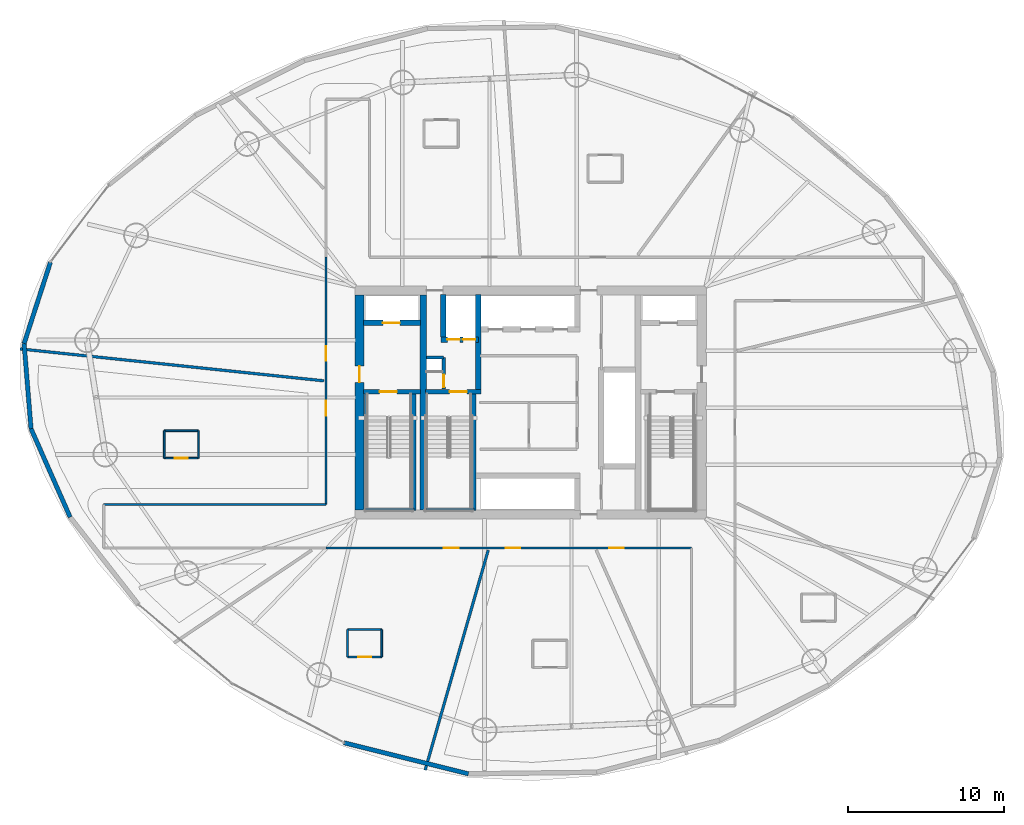
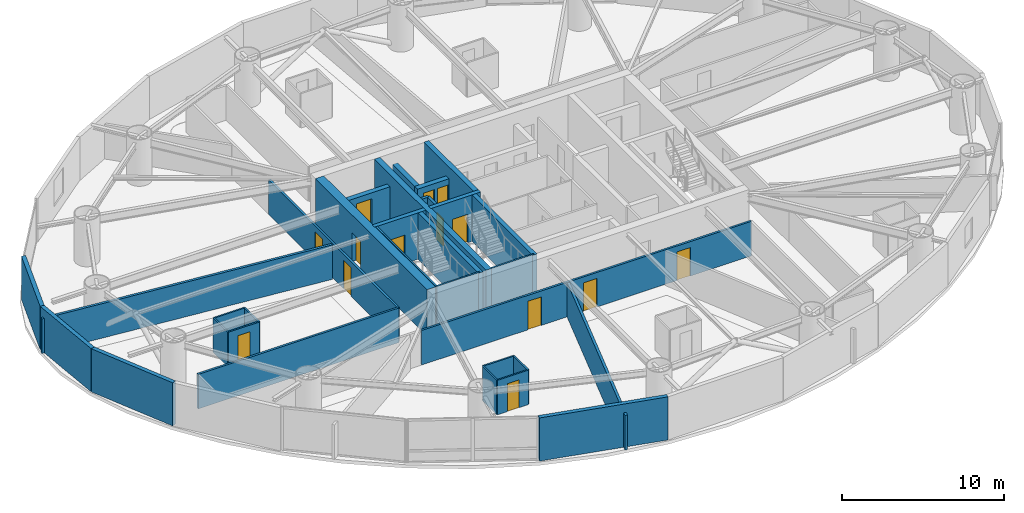
# One storey, part 12 of 19: 32 walls, 14 doors, 14 openings.
"""IFC4 building model written with IfcOpenShell, lengths in metres."""

import ifcopenshell
import ifcopenshell.guid

model = None  # the IFC model being written
_history = None  # IfcOwnerHistory: only IFC2X3 demands one
_inside = {}  # id of a spatial element -> (the spatial element, [elements in it])
_under = {}  # id of a project, library or spatial element -> (it, [spatial elements below it])
_declared = {}  # id of a project -> (the project, [libraries it declares])
_typed = {}  # id of a type object -> (the type object, [elements of that type])
_made_of = {}  # id of a material, layer set ... -> (it, [elements and type objects made of it])


def new_model(schema):
    """Start an empty IFC model of exactly this schema.

    Asked for "IFC4X3", IfcOpenShell would pick the latest addendum, in which some entities
    have other attributes; the version numbers below select the first issue.
    IFC2X3 requires an IfcOwnerHistory on every rooted entity: one is made here for all.
    """
    global model, _history
    if schema == "IFC4X3":
        model = ifcopenshell.file(schema_version=(4, 3, 0, 0))
    else:
        model = ifcopenshell.file(schema=schema)
    _inside.clear()
    _under.clear()
    _declared.clear()
    _typed.clear()
    _made_of.clear()
    _history = None
    if model.schema == "IFC2X3":
        org = make("IfcOrganization", Name="unknown")
        user = make(
            "IfcPersonAndOrganization",
            ThePerson=make("IfcPerson", FamilyName="unknown"),
            TheOrganization=org,
        )
        app = make(
            "IfcApplication",
            ApplicationDeveloper=org,
            Version="unknown",
            ApplicationFullName="unknown",
            ApplicationIdentifier="unknown",
        )
        _history = make(
            "IfcOwnerHistory",
            OwningUser=user,
            OwningApplication=app,
            ChangeAction="ADDED",
            CreationDate=0,
        )
    return model


def make(cls, **values):
    """One entity of the class cls with the attributes given. An attribute that is None is left unset."""
    return model.create_entity(
        cls, **{name: value for name, value in values.items() if value is not None}
    )


def rooted(cls, **values):
    """An entity with a GlobalId (a new one), such as an element, a storey or a relation."""
    return make(cls, GlobalId=ifcopenshell.guid.new(), OwnerHistory=_history, **values)


def si_unit(unit_type, name, prefix=None):
    """IfcSIUnit, for example si_unit("LENGTHUNIT", "METRE", prefix="MILLI")."""
    return make("IfcSIUnit", UnitType=unit_type, Prefix=prefix, Name=name)


def assignment(units):
    """IfcUnitAssignment: the units of a project."""
    return None if units is None else make("IfcUnitAssignment", Units=units)


def point(xyz):
    """IfcCartesianPoint."""
    return None if xyz is None else make("IfcCartesianPoint", Coordinates=xyz)


def direction(xyz):
    """IfcDirection."""
    return None if xyz is None else make("IfcDirection", DirectionRatios=xyz)


def frame(location, z_axis=None, x_axis=None):
    """IfcAxis2Placement3D, a coordinate frame: its origin and axes. An axis left out is left unset."""
    return make(
        "IfcAxis2Placement3D",
        Location=point(location),
        Axis=direction(z_axis),
        RefDirection=direction(x_axis),
    )


def frame_2d(location, x_axis=None):
    """IfcAxis2Placement2D, a coordinate frame in the plane: its origin and x axis."""
    return make(
        "IfcAxis2Placement2D", Location=point(location), RefDirection=direction(x_axis)
    )


def origin():
    """The frame at (0, 0, 0) with its axes left unset."""
    return frame((0.0, 0.0, 0.0))


def place(relative_to, where):
    """IfcLocalPlacement: puts the frame where relative to a parent placement (None: the world)."""
    return make(
        "IfcLocalPlacement", PlacementRelTo=relative_to, RelativePlacement=where
    )


def context(
    kind, dimensions, precision=None, world=None, true_north=None, identifier=None
):
    """IfcGeometricRepresentationContext, for example the 3D "Model" context."""
    return make(
        "IfcGeometricRepresentationContext",
        ContextIdentifier=identifier,
        ContextType=kind,
        CoordinateSpaceDimension=dimensions,
        Precision=precision,
        WorldCoordinateSystem=world,
        TrueNorth=true_north,
    )


def subcontext(parent, identifier, kind, view, scale=None):
    """IfcGeometricRepresentationSubContext, for example "Body" below "Model"."""
    return make(
        "IfcGeometricRepresentationSubContext",
        ContextIdentifier=identifier,
        ContextType=kind,
        ParentContext=parent,
        TargetScale=scale,
        TargetView=view,
    )


def project(units=None, contexts=None):
    """IfcProject with its units and contexts."""
    return rooted(
        "IfcProject",
        Name="project",
        RepresentationContexts=contexts,
        UnitsInContext=assignment(units),
    )


def spatial(cls, under=None, at=None, **own):
    """A site, building, storey or space (cls), placed at a placement, below another one or the project."""
    s = rooted(cls, ObjectPlacement=at, **own)
    if under is not None:
        _under.setdefault(under.id(), (under, []))[1].append(s)
    return s


def profile(cls, at=None, kind="AREA", **sizes):
    """A parametric profile (cls). Its sizes go by their IFC names, for example OverallWidth=200.0."""
    return make(cls, ProfileType=kind, Position=at, **sizes)


def rectangle(**sizes):
    """IfcRectangleProfileDef."""
    return profile("IfcRectangleProfileDef", **sizes)


def extrude(swept, where, along, depth):
    """IfcExtrudedAreaSolid: the profile swept, set in the frame where, extruded along a direction by depth."""
    return make(
        "IfcExtrudedAreaSolid",
        SweptArea=swept,
        Position=where,
        ExtrudedDirection=direction(along),
        Depth=depth,
    )


def shape(context_of_items, identifier, shape_type, items):
    """IfcShapeRepresentation: the items that make up one representation, for example the "Body"."""
    return make(
        "IfcShapeRepresentation",
        ContextOfItems=context_of_items,
        RepresentationIdentifier=identifier,
        RepresentationType=shape_type,
        Items=items,
    )


def material(Name=None, Category=None):
    """IfcMaterial."""
    return make("IfcMaterial", Name=Name, Category=Category)


def layer(
    of_material, thickness, ventilated=None, Name=None, Category=None, Priority=None
):
    """IfcMaterialLayer: one layer of a wall or slab, of a material (None: an air gap)."""
    return make(
        "IfcMaterialLayer",
        Material=of_material,
        LayerThickness=thickness,
        IsVentilated=ventilated,
        Name=Name,
        Category=Category,
        Priority=Priority,
    )


def layer_set(layers, Name=None):
    """IfcMaterialLayerSet."""
    return make("IfcMaterialLayerSet", MaterialLayers=layers, LayerSetName=Name)


def made_of(thing, what):
    """Note that an element or type object is made of a material, layer set ...; save() writes the relation."""
    if what is not None:
        _made_of.setdefault(what.id(), (what, []))[1].append(thing)
    return thing


def type_object(cls, material=None, **own):
    """A type object (cls), such as IfcWallType, which elements share."""
    return made_of(rooted(cls, **own), material)


def element(
    cls,
    number,
    at=None,
    inside=None,
    cuts=None,
    type_object=None,
    material=None,
    context=None,
    identifier="Body",
    shape_type=None,
    held_by="IfcProductDefinitionShape",
    body=None,
    shapes=None,
    **own,
):
    """One element of the class cls, such as IfcWall. Its Tag is "e" and its number.

    at: its placement. inside: the storey or other place that contains it. cuts: it is an
    opening in that element (IfcRelVoidsElement). A single representation is given by context,
    identifier, shape_type and body (its items); several are given by shapes. held_by: the class
    of the entity that holds the representations. save() writes the other relations.
    """
    e = rooted(cls, Tag="e%d" % number, ObjectPlacement=at, **own)
    if body is not None:
        shapes = [shape(context, identifier, shape_type, body)]
    if shapes is not None:
        e.Representation = make(held_by, Representations=shapes)
    if inside is not None:
        _inside.setdefault(inside.id(), (inside, []))[1].append(e)
    if cuts is not None:
        rooted(
            "IfcRelVoidsElement", RelatingBuildingElement=cuts, RelatedOpeningElement=e
        )
    if type_object is not None:
        _typed.setdefault(type_object.id(), (type_object, []))[1].append(e)
    return made_of(e, material)


def fill(opening, filler):
    """IfcRelFillsElement: the door or window that sits in an opening."""
    return rooted(
        "IfcRelFillsElement",
        RelatingOpeningElement=opening,
        RelatedBuildingElement=filler,
    )


def aggregate(whole, parts):
    """IfcRelAggregates: a whole, such as a stair, and the parts it consists of."""
    return rooted("IfcRelAggregates", RelatingObject=whole, RelatedObjects=parts)


def save(model, path):
    """Write the relations noted so far, then the file.

    IfcRelAggregates (storeys below a building ...), IfcRelContainedInSpatialStructure (elements
    in a storey), IfcRelDefinesByType, IfcRelAssociatesMaterial and IfcRelDeclares: one each for
    every whole, place, type object, material and project.
    """
    for whole, parts in _under.values():
        aggregate(whole, parts)
    for where, things in _inside.values():
        rooted(
            "IfcRelContainedInSpatialStructure",
            RelatedElements=things,
            RelatingStructure=where,
        )
    for kind, things in _typed.values():
        rooted("IfcRelDefinesByType", RelatedObjects=things, RelatingType=kind)
    for what, things in _made_of.values():
        rooted("IfcRelAssociatesMaterial", RelatedObjects=things, RelatingMaterial=what)
    for by, libraries in _declared.values():
        rooted("IfcRelDeclares", RelatingContext=by, RelatedDefinitions=libraries)
    model.write(path)


model = new_model("IFC4")

# Units and contexts
model_context = context("Model", 3, precision=1e-05, world=origin(), true_north=direction((0.0, 1.0)))
body_context = subcontext(model_context, "Body", "Model", "MODEL_VIEW")
ifc_project = project(units=[si_unit("LENGTHUNIT", "METRE"), si_unit("AREAUNIT", "SQUARE_METRE"), si_unit("VOLUMEUNIT", "CUBIC_METRE"), si_unit("PLANEANGLEUNIT", "RADIAN"), si_unit("MASSUNIT", "GRAM", prefix="KILO")], contexts=[model_context])

# Site, building, storey
site_placement = place(None, origin())
site = spatial("IfcSite", under=ifc_project, at=site_placement, CompositionType="ELEMENT")
building_placement = place(site_placement, origin())
building = spatial("IfcBuilding", under=site, at=building_placement, Name="Bramvorn Convention Spire", CompositionType="ELEMENT")
storey_placement = place(building_placement, frame((0.0, 0.0, 62.39990234375)))
storey = spatial("IfcBuildingStorey", under=building, at=storey_placement, Name="L13", CompositionType="ELEMENT", Elevation=62.39990234375)

# Wall, opening, door
ifc_material_1 = material(Name="Concrete C60/70", Category="concrete")
ifc_layer_1 = layer(ifc_material_1, 0.60009765625)
ifc_layer_set_1 = layer_set([ifc_layer_1], Name="Concrete C60/70 - WL-CORE-600")
wall_type_1 = type_object("IfcWallType", Name="WL-CORE-600", PredefinedType="SHEAR", material=ifc_layer_set_1)
wall_1_placement = place(storey_placement, frame((27.0, 19.10009765625, 0.0), z_axis=(0.0, 0.0, 1.0), x_axis=(0.0, 1.0, 0.0)))
wall_1 = element("IfcWall", 1, at=wall_1_placement, inside=storey, type_object=wall_type_1, Name="L13 West RC core shear wall", PredefinedType="SHEAR", context=body_context, shape_type="SweptSolid", body=[
    extrude(rectangle(XDim=13.7998046875, YDim=0.60009765625, at=frame_2d((6.89990234375, 0.0))), origin(), (0.0, 0.0, 1.0), 3.5),
])
opening_1_placement = place(wall_1_placement, frame((8.199951171875, 0.0, 0.0)))
opening_1 = element("IfcOpeningElement", 2, at=opening_1_placement, cuts=wall_1, Name="Opening DL-105", PredefinedType="OPENING", context=body_context, shape_type="SweptSolid", body=[
    extrude(rectangle(XDim=1.050048828125, YDim=2.14990234375, at=frame_2d((0.52490234375, 1.074951171875))), frame((0.0, 0.31005859375, 0.0), z_axis=(0.0, -1.0, 0.0), x_axis=(1.0, 0.0, 0.0)), (0.0, 0.0, 1.0), 0.6201171875),
])
ifc_material_2 = material(Name="Smoke-Sealed Fire Lobby Timber-Core Door", Category="wood")
door_type_1 = type_object("IfcDoorType", Name="DR-LOBBY-1050", OperationType="NOTDEFINED", PredefinedType="DOOR", material=ifc_material_2)
door_1_placement = place(opening_1_placement, origin())
door_1 = element("IfcDoor", 3, at=door_1_placement, inside=storey, type_object=door_type_1, Name="L13 West Firefighting Lobby corridor door", OperationType="SINGLE_SWING_RIGHT", OverallHeight=2.14990234375, OverallWidth=1.050048828125, PredefinedType="DOOR", context=body_context, shape_type="SweptSolid", body=[
    extrude(rectangle(XDim=1.050048828125, YDim=2.14990234375, at=frame_2d((0.52490234375, 1.074951171875))), frame((0.0, 0.02490234375, 0.0), z_axis=(0.0, -1.0, 0.0), x_axis=(1.0, 0.0, 0.0)), (0.0, 0.0, 1.0), 0.050048828125),
])
fill(opening_1, door_1)

ifc_material_3 = material(Name="Concrete C50/60", Category="concrete")
ifc_layer_2 = layer(ifc_material_3, 0.35009765625)
ifc_layer_set_2 = layer_set([ifc_layer_2], Name="Concrete C50/60 - WL-CORE-INT-350")
wall_type_2 = type_object("IfcWallType", Name="WL-CORE-INT-350", PredefinedType="SHEAR", material=ifc_layer_set_2)
wall_2_placement = place(storey_placement, frame((27.25, 31.1201171875, 0.0), z_axis=(0.0, 0.0, 1.0), x_axis=(1.0, 0.0, 0.0)))
wall_2 = element("IfcWall", 4, at=wall_2_placement, inside=storey, type_object=wall_type_2, Name="L13 FE1 shaft front wall", PredefinedType="SHEAR", context=body_context, shape_type="SweptSolid", body=[
    extrude(rectangle(XDim=3.669921875, YDim=0.35009765625, at=frame_2d((1.8349609375, 0.0))), origin(), (0.0, 0.0, 1.0), 2.60009765625),
])
opening_2_placement = place(wall_2_placement, frame((1.25, 0.0, 0.0)))
opening_2 = element("IfcOpeningElement", 5, at=opening_2_placement, cuts=wall_2, Name="Opening LD-110", PredefinedType="OPENING", context=body_context, shape_type="SweptSolid", body=[
    extrude(rectangle(XDim=1.10009765625, YDim=2.14990234375, at=frame_2d((0.550048828125, 1.074951171875))), frame((0.0, 0.18505859375, 0.0), z_axis=(0.0, -1.0, 0.0), x_axis=(1.0, 0.0, 0.0)), (0.0, 0.0, 1.0), 0.3701171875),
])
ifc_material_4 = material(Name="Firefighting & Service Lift Sliding Landing Door", Category="steel")
door_type_2 = type_object("IfcDoorType", Name="DR-LIFT-LD-1100", OperationType="NOTDEFINED", PredefinedType="DOOR", material=ifc_material_4)
door_2_placement = place(opening_2_placement, origin())
door_2 = element("IfcDoor", 6, at=door_2_placement, inside=storey, type_object=door_type_2, Name="L13 Lift FE1 Sliding Landing Door", OperationType="SLIDING_TO_LEFT", OverallHeight=2.14990234375, OverallWidth=1.10009765625, PredefinedType="DOOR", context=body_context, shape_type="SweptSolid", body=[
    extrude(rectangle(XDim=1.10009765625, YDim=2.14990234375, at=frame_2d((0.550048828125, 1.074951171875))), frame((0.0, 0.02490234375, 0.0), z_axis=(0.0, -1.0, 0.0), x_axis=(1.0, 0.0, 0.0)), (0.0, 0.0, 1.0), 0.050048828125),
])
fill(opening_2, door_2)

# Wall
wall_3_placement = place(storey_placement, frame((34.639892578125, 26.68994140625, 0.0), z_axis=(0.0, 0.0, 1.0), x_axis=(0.0, 1.0, 0.0)))
element("IfcWall", 7, at=wall_3_placement, inside=storey, type_object=wall_type_2, Name="L13 SV east core shaft wall", PredefinedType="SHEAR", context=body_context, shape_type="SweptSolid", body=[
    extrude(rectangle(XDim=6.260009765625, YDim=0.35009765625, at=frame_2d((3.1298828125, 0.0))), origin(), (0.0, 0.0, 1.0), 3.5),
])

# Wall, openings, doors
wall_4_placement = place(storey_placement, frame((32.22998046875, 30.050048828125, 0.0), z_axis=(0.0, 0.0, 1.0), x_axis=(1.0, 0.0, 0.0)))
wall_4 = element("IfcWall", 8, at=wall_4_placement, inside=storey, type_object=wall_type_2, Name="L13 SV1/SV2 shaft front wall", PredefinedType="SHEAR", context=body_context, shape_type="SweptSolid", body=[
    extrude(rectangle(XDim=2.409912109375, YDim=0.35009765625, at=frame_2d((1.205078125, 0.0))), origin(), (0.0, 0.0, 1.0), 2.60009765625),
])
opening_3_placement = place(wall_4_placement, frame((0.419921875, 0.0, 0.0)))
opening_3 = element("IfcOpeningElement", 9, at=opening_3_placement, cuts=wall_4, Name="Opening LD-080", PredefinedType="OPENING", context=body_context, shape_type="SweptSolid", body=[
    extrude(rectangle(XDim=0.800048828125, YDim=2.14990234375, at=frame_2d((0.39990234375, 1.074951171875))), frame((0.0, 0.18505859375, 0.0), z_axis=(0.0, -1.0, 0.0), x_axis=(1.0, 0.0, 0.0)), (0.0, 0.0, 1.0), 0.3701171875),
])
opening_4_placement = place(wall_4_placement, frame((1.419921875, 0.0, 0.0)))
opening_4 = element("IfcOpeningElement", 10, at=opening_4_placement, cuts=wall_4, Name="Opening LD-080", PredefinedType="OPENING", context=body_context, shape_type="SweptSolid", body=[
    extrude(rectangle(XDim=0.800048828125, YDim=2.14990234375, at=frame_2d((0.39990234375, 1.074951171875))), frame((0.0, 0.18505859375, 0.0), z_axis=(0.0, -1.0, 0.0), x_axis=(1.0, 0.0, 0.0)), (0.0, 0.0, 1.0), 0.3701171875),
])
ifc_material_5 = material(Name="Service Lift Bi-Parting Landing Door", Category="steel")
door_type_3 = type_object("IfcDoorType", Name="DR-LIFT-LD-800", OperationType="NOTDEFINED", PredefinedType="DOOR", material=ifc_material_5)
door_3_placement = place(opening_3_placement, origin())
door_3 = element("IfcDoor", 11, at=door_3_placement, inside=storey, type_object=door_type_3, Name="L13 Lift SV1 Sliding Landing Door", OperationType="SLIDING_TO_LEFT", OverallHeight=2.14990234375, OverallWidth=0.800048828125, PredefinedType="DOOR", context=body_context, shape_type="SweptSolid", body=[
    extrude(rectangle(XDim=0.800048828125, YDim=2.14990234375, at=frame_2d((0.39990234375, 1.074951171875))), frame((0.0, 0.02490234375, 0.0), z_axis=(0.0, -1.0, 0.0), x_axis=(1.0, 0.0, 0.0)), (0.0, 0.0, 1.0), 0.050048828125),
])
fill(opening_3, door_3)
door_4_placement = place(opening_4_placement, origin())
door_4 = element("IfcDoor", 12, at=door_4_placement, inside=storey, type_object=door_type_3, Name="L13 Lift SV2 Sliding Landing Door", OperationType="SLIDING_TO_LEFT", OverallHeight=2.14990234375, OverallWidth=0.800048828125, PredefinedType="DOOR", context=body_context, shape_type="SweptSolid", body=[
    extrude(rectangle(XDim=0.800048828125, YDim=2.14990234375, at=frame_2d((0.39990234375, 1.074951171875))), frame((0.0, 0.02490234375, 0.0), z_axis=(0.0, -1.0, 0.0), x_axis=(1.0, 0.0, 0.0)), (0.0, 0.0, 1.0), 0.050048828125),
])
fill(opening_4, door_4)

# Walls
wall_5_placement = place(storey_placement, frame((32.39990234375, 30.219970703125, 0.0), z_axis=(0.0, 0.0, 1.0), x_axis=(0.0, 1.0, 0.0)))
element("IfcWall", 13, at=wall_5_placement, inside=storey, type_object=wall_type_2, Name="L13 SV1 west hoistway wall", PredefinedType="SHEAR", context=body_context, shape_type="SweptSolid", body=[
    extrude(rectangle(XDim=2.72998046875, YDim=0.35009765625, at=frame_2d((1.364990234375, 0.0))), origin(), (0.0, 0.0, 1.0), 2.60009765625),
])
ifc_layer_3 = layer(ifc_material_1, 0.39990234375)
ifc_layer_set_3 = layer_set([ifc_layer_3], Name="Concrete C60/70 - WL-CORE-INT-400")
wall_type_3 = type_object("IfcWallType", Name="WL-CORE-INT-400", PredefinedType="SHEAR", material=ifc_layer_set_3)
wall_6_placement = place(storey_placement, frame((31.10009765625, 19.10009765625, 0.0), z_axis=(0.0, 0.0, 1.0), x_axis=(0.0, 1.0, 0.0)))
element("IfcWall", 14, at=wall_6_placement, inside=storey, type_object=wall_type_3, Name="L13 West internal core shear web", PredefinedType="SHEAR", context=body_context, shape_type="SweptSolid", body=[
    extrude(rectangle(XDim=13.7998046875, YDim=0.39990234375, at=frame_2d((6.89990234375, 0.0))), origin(), (0.0, 0.0, 1.0), 3.5),
])
ifc_material_6 = material(Name="Precast Concrete C40/50 with Bronze Terracotta Rainscreen", Category="masonry")
ifc_layer_4 = layer(ifc_material_6, 0.300048828125)
ifc_layer_set_4 = layer_set([ifc_layer_4], Name="Precast Concrete C40/50 with Bronze Terracotta Rainscreen - WL-EXT-BRONZE-300")
wall_type_4 = type_object("IfcWallType", Name="WL-EXT-BRONZE-300", PredefinedType="SOLIDWALL", material=ifc_layer_set_4)
wall_7_placement = place(storey_placement, frame((5.4404296875, 29.796142578125, 0.0), z_axis=(0.0, 0.0, 1.0), x_axis=(0.308035481902, 0.951374869276, 0.0)))
element("IfcWall", 15, at=wall_7_placement, inside=storey, type_object=wall_type_4, Name="L13 expressed bronze Gothic lancet pier wall 12", PredefinedType="SOLIDWALL", context=body_context, shape_type="SweptSolid", body=[
    extrude(rectangle(XDim=5.497314453125, YDim=0.280029296875, at=frame_2d((2.74853515625, 0.0))), origin(), (0.0, 0.0, 1.0), 3.25),
])
wall_8_placement = place(storey_placement, frame((5.885009765625, 24.316650390625, 0.0), z_axis=(0.0, 0.0, 1.0), x_axis=(-0.080869527328, 0.996724695967, 0.0)))
element("IfcWall", 16, at=wall_8_placement, inside=storey, type_object=wall_type_4, Name="L13 expressed bronze Gothic lancet pier wall 13", PredefinedType="SOLIDWALL", context=body_context, shape_type="SweptSolid", body=[
    extrude(rectangle(XDim=5.49755859375, YDim=0.280029296875, at=frame_2d((2.748779296875, 0.0))), origin(), (0.0, 0.0, 1.0), 3.25),
])
wall_9_placement = place(storey_placement, frame((8.39892578125, 18.635986328125, 0.0), z_axis=(0.0, 0.0, 1.0), x_axis=(-0.404683001763, 0.914457034575, 0.0)))
element("IfcWall", 17, at=wall_9_placement, inside=storey, type_object=wall_type_4, Name="L13 expressed bronze Gothic lancet pier wall 14", PredefinedType="SOLIDWALL", context=body_context, shape_type="SweptSolid", body=[
    extrude(rectangle(XDim=6.212158203125, YDim=0.280029296875, at=frame_2d((3.10595703125, 0.0))), origin(), (0.0, 0.0, 1.0), 3.25),
])
wall_10_placement = place(storey_placement, frame((34.009033203125, 2.131103515625, 0.0), z_axis=(0.0, 0.0, 1.0), x_axis=(-0.970262618, 0.242054646954, 0.0)))
element("IfcWall", 18, at=wall_10_placement, inside=storey, type_object=wall_type_4, Name="L13 expressed bronze Gothic lancet pier wall 18", PredefinedType="SOLIDWALL", context=body_context, shape_type="SweptSolid", body=[
    extrude(rectangle(XDim=8.241455078125, YDim=0.280029296875, at=frame_2d((4.12060546875, 0.0))), origin(), (0.0, 0.0, 1.0), 3.25),
])

# Wall, opening, door
ifc_material_7 = material(Name="Lightweight En-Suite & Wet-Wall Partition", Category="gypsum")
ifc_layer_5 = layer(ifc_material_7, 0.110107421875)
ifc_layer_set_5 = layer_set([ifc_layer_5], Name="Lightweight En-Suite & Wet-Wall Partition - WL-PART-110")
wall_type_5 = type_object("IfcWallType", Name="WL-PART-110", PredefinedType="PARTITIONING", material=ifc_layer_set_5)
wall_11_placement = place(storey_placement, frame((14.4453125, 22.427978515625, 0.0), z_axis=(0.0, 0.0, 1.0), x_axis=(1.0, 0.0, 0.0)))
wall_11 = element("IfcWall", 19, at=wall_11_placement, inside=storey, type_object=wall_type_5, Name="Hotel Suite 1305 en-suite south wall", PredefinedType="PARTITIONING", context=body_context, shape_type="SweptSolid", body=[
    extrude(rectangle(XDim=2.199951171875, YDim=0.110107421875, at=frame_2d((1.10009765625, 0.0))), origin(), (0.0, 0.0, 1.0), 2.60009765625),
])
opening_5_placement = place(wall_11_placement, frame((0.679931640625, 0.0, 0.0)))
opening_5 = element("IfcOpeningElement", 20, at=opening_5_placement, cuts=wall_11, Name="Opening DI-085", PredefinedType="OPENING", context=body_context, shape_type="SweptSolid", body=[
    extrude(rectangle(XDim=0.85009765625, YDim=2.10009765625, at=frame_2d((0.425048828125, 1.050048828125))), frame((0.0, 0.06494140625, 0.0), z_axis=(0.0, -1.0, 0.0), x_axis=(1.0, 0.0, 0.0)), (0.0, 0.0, 1.0), 0.130126953125),
])
ifc_material_8 = material(Name="En-Suite & Restroom Privacy Door", Category="wood")
door_type_4 = type_object("IfcDoorType", Name="DR-INT-850", OperationType="NOTDEFINED", PredefinedType="DOOR", material=ifc_material_8)
door_5_placement = place(opening_5_placement, origin())
door_5 = element("IfcDoor", 21, at=door_5_placement, inside=storey, type_object=door_type_4, Name="Hotel Suite 1305 En-Suite Bathroom door", OperationType="SINGLE_SWING_LEFT", OverallHeight=2.10009765625, OverallWidth=0.85009765625, PredefinedType="DOOR", context=body_context, shape_type="SweptSolid", body=[
    extrude(rectangle(XDim=0.85009765625, YDim=2.10009765625, at=frame_2d((0.425048828125, 1.050048828125))), frame((0.0, 0.02490234375, 0.0), z_axis=(0.0, -1.0, 0.0), x_axis=(1.0, 0.0, 0.0)), (0.0, 0.0, 1.0), 0.050048828125),
])
fill(opening_5, door_5)

# Walls
wall_12_placement = place(storey_placement, frame((14.4453125, 24.18798828125, 0.0), z_axis=(0.0, 0.0, 1.0), x_axis=(1.0, 0.0, 0.0)))
element("IfcWall", 22, at=wall_12_placement, inside=storey, type_object=wall_type_5, Name="Hotel Suite 1305 en-suite north wall", PredefinedType="PARTITIONING", context=body_context, shape_type="SweptSolid", body=[
    extrude(rectangle(XDim=2.199951171875, YDim=0.110107421875, at=frame_2d((1.10009765625, 0.0))), origin(), (0.0, 0.0, 1.0), 2.60009765625),
])
for number, where, z_axis, x_axis, name in (
    (23, (14.4453125, 22.427978515625, 0.0), (0.0, 0.0, 1.0), (0.0, 1.0, 0.0), "Hotel Suite 1305 en-suite west wall"),
    (24, (16.645263671875, 22.427978515625, 0.0), (0.0, 0.0, 1.0), (0.0, 1.0, 0.0), "Hotel Suite 1305 en-suite east wall"),
):
    element("IfcWall", number, at=place(storey_placement, frame(where, z_axis=z_axis, x_axis=x_axis)), inside=storey, type_object=wall_type_5, Name=name, PredefinedType="PARTITIONING", context=body_context, shape_type="SweptSolid", body=[
        extrude(rectangle(XDim=1.760009765625, YDim=0.110107421875, at=frame_2d((0.8798828125, 0.0))), origin(), (0.0, 0.0, 1.0), 2.60009765625),
    ])

# Wall, opening, door
wall_13_placement = place(storey_placement, frame((26.237548828125, 9.6455078125, 0.0), z_axis=(0.0, 0.0, 1.0), x_axis=(1.0, 0.0, 0.0)))
wall_13 = element("IfcWall", 25, at=wall_13_placement, inside=storey, type_object=wall_type_5, Name="Hotel Suite 1306 en-suite south wall", PredefinedType="PARTITIONING", context=body_context, shape_type="SweptSolid", body=[
    extrude(rectangle(XDim=2.199951171875, YDim=0.110107421875, at=frame_2d((1.10009765625, 0.0))), origin(), (0.0, 0.0, 1.0), 2.60009765625),
])
opening_6_placement = place(wall_13_placement, frame((0.679931640625, 0.0, 0.0)))
opening_6 = element("IfcOpeningElement", 26, at=opening_6_placement, cuts=wall_13, Name="Opening DI-085", PredefinedType="OPENING", context=body_context, shape_type="SweptSolid", body=[
    extrude(rectangle(XDim=0.85009765625, YDim=2.10009765625, at=frame_2d((0.425048828125, 1.050048828125))), frame((0.0, 0.06494140625, 0.0), z_axis=(0.0, -1.0, 0.0), x_axis=(1.0, 0.0, 0.0)), (0.0, 0.0, 1.0), 0.130126953125),
])
door_6_placement = place(opening_6_placement, origin())
door_6 = element("IfcDoor", 27, at=door_6_placement, inside=storey, type_object=door_type_4, Name="Hotel Suite 1306 En-Suite Bathroom door", OperationType="SINGLE_SWING_LEFT", OverallHeight=2.10009765625, OverallWidth=0.85009765625, PredefinedType="DOOR", context=body_context, shape_type="SweptSolid", body=[
    extrude(rectangle(XDim=0.85009765625, YDim=2.10009765625, at=frame_2d((0.425048828125, 1.050048828125))), frame((0.0, 0.02490234375, 0.0), z_axis=(0.0, -1.0, 0.0), x_axis=(1.0, 0.0, 0.0)), (0.0, 0.0, 1.0), 0.050048828125),
])
fill(opening_6, door_6)

# Walls
wall_14_placement = place(storey_placement, frame((26.237548828125, 11.405517578125, 0.0), z_axis=(0.0, 0.0, 1.0), x_axis=(1.0, 0.0, 0.0)))
element("IfcWall", 28, at=wall_14_placement, inside=storey, type_object=wall_type_5, Name="Hotel Suite 1306 en-suite north wall", PredefinedType="PARTITIONING", context=body_context, shape_type="SweptSolid", body=[
    extrude(rectangle(XDim=2.199951171875, YDim=0.110107421875, at=frame_2d((1.10009765625, 0.0))), origin(), (0.0, 0.0, 1.0), 2.60009765625),
])
for number, where, z_axis, x_axis, name in (
    (29, (26.237548828125, 9.6455078125, 0.0), (0.0, 0.0, 1.0), (0.0, 1.0, 0.0), "Hotel Suite 1306 en-suite west wall"),
    (30, (28.4375, 9.6455078125, 0.0), (0.0, 0.0, 1.0), (0.0, 1.0, 0.0), "Hotel Suite 1306 en-suite east wall"),
):
    element("IfcWall", number, at=place(storey_placement, frame(where, z_axis=z_axis, x_axis=x_axis)), inside=storey, type_object=wall_type_5, Name=name, PredefinedType="PARTITIONING", context=body_context, shape_type="SweptSolid", body=[
        extrude(rectangle(XDim=1.760009765625, YDim=0.110107421875, at=frame_2d((0.8798828125, 0.0))), origin(), (0.0, 0.0, 1.0), 2.60009765625),
    ])

# Wall, openings, doors
ifc_material_9 = material(Name="Acoustic Metal-Stud Tenant/Corridor Partition", Category="gypsum")
ifc_layer_6 = layer(ifc_material_9, 0.14990234375)
ifc_layer_set_6 = layer_set([ifc_layer_6], Name="Acoustic Metal-Stud Tenant/Corridor Partition - WL-PART-150")
wall_type_6 = type_object("IfcWallType", Name="WL-PART-150", PredefinedType="PARTITIONING", material=ifc_layer_set_6)
wall_15_placement = place(storey_placement, frame((24.85009765625, 16.64990234375, 0.0), z_axis=(0.0, 0.0, 1.0), x_axis=(1.0, 0.0, 0.0)))
wall_15 = element("IfcWall", 31, at=wall_15_placement, inside=storey, type_object=wall_type_6, Name="L13 South ring corridor wall", PredefinedType="PARTITIONING", context=body_context, shape_type="SweptSolid", body=[
    extrude(rectangle(XDim=23.5, YDim=0.14990234375, at=frame_2d((11.75, 0.0))), origin(), (0.0, 0.0, 1.0), 2.60009765625),
])
opening_7_placement = place(wall_15_placement, frame((7.5732421875, 0.0, 0.0)))
opening_7 = element("IfcOpeningElement", 32, at=opening_7_placement, cuts=wall_15, Name="Opening DH-095", PredefinedType="OPENING", context=body_context, shape_type="SweptSolid", body=[
    extrude(rectangle(XDim=0.949951171875, YDim=2.14990234375, at=frame_2d((0.47509765625, 1.074951171875))), frame((0.0, 0.0849609375, 0.0), z_axis=(0.0, -1.0, 0.0), x_axis=(1.0, 0.0, 0.0)), (0.0, 0.0, 1.0), 0.169921875),
])
opening_8_placement = place(wall_15_placement, frame((11.544189453125, 0.0, 0.0)))
opening_8 = element("IfcOpeningElement", 33, at=opening_8_placement, cuts=wall_15, Name="Opening DH-095", PredefinedType="OPENING", context=body_context, shape_type="SweptSolid", body=[
    extrude(rectangle(XDim=0.949951171875, YDim=2.14990234375, at=frame_2d((0.47509765625, 1.074951171875))), frame((0.0, 0.0849609375, 0.0), z_axis=(0.0, -1.0, 0.0), x_axis=(1.0, 0.0, 0.0)), (0.0, 0.0, 1.0), 0.169921875),
])
opening_9_placement = place(wall_15_placement, frame((18.202392578125, 0.0, 0.0)))
opening_9 = element("IfcOpeningElement", 34, at=opening_9_placement, cuts=wall_15, Name="Opening DH-095", PredefinedType="OPENING", context=body_context, shape_type="SweptSolid", body=[
    extrude(rectangle(XDim=0.949951171875, YDim=2.14990234375, at=frame_2d((0.47509765625, 1.074951171875))), frame((0.0, 0.0849609375, 0.0), z_axis=(0.0, -1.0, 0.0), x_axis=(1.0, 0.0, 0.0)), (0.0, 0.0, 1.0), 0.169921875),
])
ifc_material_10 = material(Name="Solid-Core Acoustic Guestroom Entry Door", Category="wood")
door_type_5 = type_object("IfcDoorType", Name="DR-HOTEL-950", OperationType="NOTDEFINED", PredefinedType="DOOR", material=ifc_material_10)
door_7_placement = place(opening_7_placement, origin())
door_7 = element("IfcDoor", 35, at=door_7_placement, inside=storey, type_object=door_type_5, Name="Hotel Suite 1306 entry door", OperationType="SINGLE_SWING_LEFT", OverallHeight=2.14990234375, OverallWidth=0.949951171875, PredefinedType="DOOR", context=body_context, shape_type="SweptSolid", body=[
    extrude(rectangle(XDim=0.949951171875, YDim=2.14990234375, at=frame_2d((0.47509765625, 1.074951171875))), frame((0.0, 0.02490234375, 0.0), z_axis=(0.0, -1.0, 0.0), x_axis=(1.0, 0.0, 0.0)), (0.0, 0.0, 1.0), 0.050048828125),
])
fill(opening_7, door_7)
door_8_placement = place(opening_8_placement, origin())
door_8 = element("IfcDoor", 36, at=door_8_placement, inside=storey, type_object=door_type_5, Name="Hotel Suite 1307 entry door", OperationType="SINGLE_SWING_LEFT", OverallHeight=2.14990234375, OverallWidth=0.949951171875, PredefinedType="DOOR", context=body_context, shape_type="SweptSolid", body=[
    extrude(rectangle(XDim=0.949951171875, YDim=2.14990234375, at=frame_2d((0.47509765625, 1.074951171875))), frame((0.0, 0.02490234375, 0.0), z_axis=(0.0, -1.0, 0.0), x_axis=(1.0, 0.0, 0.0)), (0.0, 0.0, 1.0), 0.050048828125),
])
fill(opening_8, door_8)
door_9_placement = place(opening_9_placement, origin())
door_9 = element("IfcDoor", 37, at=door_9_placement, inside=storey, type_object=door_type_5, Name="Hotel Suite 1308 entry door", OperationType="SINGLE_SWING_LEFT", OverallHeight=2.14990234375, OverallWidth=0.949951171875, PredefinedType="DOOR", context=body_context, shape_type="SweptSolid", body=[
    extrude(rectangle(XDim=0.949951171875, YDim=2.14990234375, at=frame_2d((0.47509765625, 1.074951171875))), frame((0.0, 0.02490234375, 0.0), z_axis=(0.0, -1.0, 0.0), x_axis=(1.0, 0.0, 0.0)), (0.0, 0.0, 1.0), 0.050048828125),
])
fill(opening_9, door_9)

wall_16_placement = place(storey_placement, frame((24.85009765625, 19.449951171875, 0.0), z_axis=(0.0, 0.0, 1.0), x_axis=(0.0, 1.0, 0.0)))
wall_16 = element("IfcWall", 38, at=wall_16_placement, inside=storey, type_object=wall_type_6, Name="L13 West ring corridor wall", PredefinedType="PARTITIONING", context=body_context, shape_type="SweptSolid", body=[
    extrude(rectangle(XDim=15.900146484375, YDim=0.14990234375, at=frame_2d((7.9501953125, 0.0))), origin(), (0.0, 0.0, 1.0), 2.60009765625),
])
opening_10_placement = place(wall_16_placement, frame((9.236083984375, 0.0, 0.0)))
opening_10 = element("IfcOpeningElement", 39, at=opening_10_placement, cuts=wall_16, Name="Opening DH-095", PredefinedType="OPENING", context=body_context, shape_type="SweptSolid", body=[
    extrude(rectangle(XDim=0.949951171875, YDim=2.14990234375, at=frame_2d((0.47509765625, 1.074951171875))), frame((0.0, 0.0849609375, 0.0), z_axis=(0.0, -1.0, 0.0), x_axis=(1.0, 0.0, 0.0)), (0.0, 0.0, 1.0), 0.169921875),
])
opening_11_placement = place(wall_16_placement, frame((5.705810546875, 0.0, 0.0)))
opening_11 = element("IfcOpeningElement", 40, at=opening_11_placement, cuts=wall_16, Name="Opening DH-095", PredefinedType="OPENING", context=body_context, shape_type="SweptSolid", body=[
    extrude(rectangle(XDim=0.949951171875, YDim=2.14990234375, at=frame_2d((0.47509765625, 1.074951171875))), frame((0.0, 0.0849609375, 0.0), z_axis=(0.0, -1.0, 0.0), x_axis=(1.0, 0.0, 0.0)), (0.0, 0.0, 1.0), 0.169921875),
])
door_10_placement = place(opening_10_placement, origin())
door_10 = element("IfcDoor", 41, at=door_10_placement, inside=storey, type_object=door_type_5, Name="L13 Hospitality Salon 4 door", OperationType="SINGLE_SWING_RIGHT", OverallHeight=2.14990234375, OverallWidth=0.949951171875, PredefinedType="DOOR", context=body_context, shape_type="SweptSolid", body=[
    extrude(rectangle(XDim=0.949951171875, YDim=2.14990234375, at=frame_2d((0.47509765625, 1.074951171875))), frame((0.0, 0.02490234375, 0.0), z_axis=(0.0, -1.0, 0.0), x_axis=(1.0, 0.0, 0.0)), (0.0, 0.0, 1.0), 0.050048828125),
])
fill(opening_10, door_10)
door_11_placement = place(opening_11_placement, origin())
door_11 = element("IfcDoor", 42, at=door_11_placement, inside=storey, type_object=door_type_5, Name="Hotel Suite 1305 entry door", OperationType="SINGLE_SWING_LEFT", OverallHeight=2.14990234375, OverallWidth=0.949951171875, PredefinedType="DOOR", context=body_context, shape_type="SweptSolid", body=[
    extrude(rectangle(XDim=0.949951171875, YDim=2.14990234375, at=frame_2d((0.47509765625, 1.074951171875))), frame((0.0, 0.02490234375, 0.0), z_axis=(0.0, -1.0, 0.0), x_axis=(1.0, 0.0, 0.0)), (0.0, 0.0, 1.0), 0.050048828125),
])
fill(opening_11, door_11)

# Walls
wall_17_placement = place(storey_placement, frame((10.5595703125, 19.449951171875, 0.0), z_axis=(0.0, 0.0, 1.0), x_axis=(1.0, 0.0, 0.0)))
element("IfcWall", 43, at=wall_17_placement, inside=storey, type_object=wall_type_6, Name="L13 SW pinwheel wing north wall", PredefinedType="PARTITIONING", context=body_context, shape_type="SweptSolid", body=[
    extrude(rectangle(XDim=14.29052734375, YDim=0.14990234375, at=frame_2d((7.145263671875, 0.0))), origin(), (0.0, 0.0, 1.0), 2.60009765625),
])
ifc_material_11 = material(Name="Double-Stud Acoustic Hotel/Suite Partition", Category="gypsum")
ifc_layer_7 = layer(ifc_material_11, 0.175048828125)
ifc_layer_set_7 = layer_set([ifc_layer_7], Name="Double-Stud Acoustic Hotel/Suite Partition - WL-PART-175")
wall_type_7 = type_object("IfcWallType", Name="WL-PART-175", PredefinedType="PARTITIONING", material=ifc_layer_set_7)
wall_18_placement = place(storey_placement, frame((24.7099609375, 27.396728515625, 0.0), z_axis=(0.0, 0.0, 1.0), x_axis=(-0.994520842573, 0.104538479463, 0.0)))
element("IfcWall", 44, at=wall_18_placement, inside=storey, type_object=wall_type_7, Name="L13 Guestroom demising wall 5", PredefinedType="PARTITIONING", context=body_context, shape_type="SweptSolid", body=[
    extrude(rectangle(XDim=19.631591796875, YDim=0.175048828125, at=frame_2d((9.81591796875, 0.0))), origin(), (0.0, 0.0, 1.0), 2.60009765625),
])
wall_19_placement = place(storey_placement, frame((35.27880859375, 16.510009765625, 0.0), z_axis=(0.0, 0.0, 1.0), x_axis=(-0.275639296189, -0.961261139543, 0.0)))
element("IfcWall", 45, at=wall_19_placement, inside=storey, type_object=wall_type_7, Name="L13 Guestroom demising wall 7", PredefinedType="PARTITIONING", context=body_context, shape_type="SweptSolid", body=[
    extrude(rectangle(XDim=14.712890625, YDim=0.175048828125, at=frame_2d((7.3564453125, 0.0))), origin(), (0.0, 0.0, 1.0), 2.60009765625),
])

# Wall, opening, door
ifc_material_12 = material(Name="Gypsum Shaftwall & Rockwool Core Partition", Category="gypsum")
ifc_layer_8 = layer(ifc_material_12, 0.199951171875)
ifc_layer_set_8 = layer_set([ifc_layer_8], Name="Gypsum Shaftwall & Rockwool Core Partition - WL-PART-200-FR")
wall_type_8 = type_object("IfcWallType", Name="WL-PART-200-FR", PredefinedType="PARTITIONING", material=ifc_layer_set_8)
wall_20_placement = place(storey_placement, frame((32.419921875, 26.860107421875, 0.0), z_axis=(0.0, 0.0, 1.0), x_axis=(0.0, 1.0, 0.0)))
wall_20 = element("IfcWall", 46, at=wall_20_placement, inside=storey, type_object=wall_type_8, Name="L13 Telecom riser east wall", PredefinedType="PARTITIONING", context=body_context, shape_type="SweptSolid", body=[
    extrude(rectangle(XDim=2.039794921875, YDim=0.199951171875, at=frame_2d((1.02001953125, 0.0))), origin(), (0.0, 0.0, 1.0), 2.60009765625),
])
opening_12_placement = place(wall_20_placement, frame((0.139892578125, 0.0, 0.0)))
opening_12 = element("IfcOpeningElement", 47, at=opening_12_placement, cuts=wall_20, Name="Opening DR-080", PredefinedType="OPENING", context=body_context, shape_type="SweptSolid", body=[
    extrude(rectangle(XDim=0.800048828125, YDim=2.050048828125, at=frame_2d((0.39990234375, 1.02490234375))), frame((0.0, 0.10986328125, 0.0), z_axis=(0.0, -1.0, 0.0), x_axis=(1.0, 0.0, 0.0)), (0.0, 0.0, 1.0), 0.219970703125),
])
ifc_material_13 = material(Name="Flush Steel Riser Access Door", Category="steel")
door_type_6 = type_object("IfcDoorType", Name="DR-RISER-800", OperationType="NOTDEFINED", PredefinedType="DOOR", material=ifc_material_13)
door_12_placement = place(opening_12_placement, origin())
door_12 = element("IfcDoor", 48, at=door_12_placement, inside=storey, type_object=door_type_6, Name="L13 Telecom riser access door", OperationType="SINGLE_SWING_RIGHT", OverallHeight=2.050048828125, OverallWidth=0.800048828125, PredefinedType="DOOR", context=body_context, shape_type="SweptSolid", body=[
    extrude(rectangle(XDim=0.800048828125, YDim=2.050048828125, at=frame_2d((0.39990234375, 1.02490234375))), frame((0.0, 0.02490234375, 0.0), z_axis=(0.0, -1.0, 0.0), x_axis=(1.0, 0.0, 0.0)), (0.0, 0.0, 1.0), 0.050048828125),
])
fill(opening_12, door_12)

# Wall
wall_21_placement = place(storey_placement, frame((31.300048828125, 28.89990234375, 0.0), z_axis=(0.0, 0.0, 1.0), x_axis=(1.0, 0.0, 0.0)))
element("IfcWall", 49, at=wall_21_placement, inside=storey, type_object=wall_type_8, Name="L13 Telecom riser north wall", PredefinedType="PARTITIONING", context=body_context, shape_type="SweptSolid", body=[
    extrude(rectangle(XDim=1.119873046875, YDim=0.199951171875, at=frame_2d((0.56005859375, 0.0))), origin(), (0.0, 0.0, 1.0), 2.60009765625),
])

# Wall, opening, door
ifc_layer_9 = layer(ifc_material_3, 0.300048828125)
ifc_layer_set_9 = layer_set([ifc_layer_9], Name="Concrete C50/60 - WL-POD-STAIR-300")
wall_type_9 = type_object("IfcWallType", Name="WL-POD-STAIR-300", PredefinedType="SHEAR", material=ifc_layer_set_9)
wall_22_placement = place(storey_placement, frame((27.25, 26.68994140625, 0.0), z_axis=(0.0, 0.0, 1.0), x_axis=(1.0, 0.0, 0.0)))
wall_22 = element("IfcWall", 50, at=wall_22_placement, inside=storey, type_object=wall_type_9, Name="L13 ST1 north fire wall", PredefinedType="SHEAR", context=body_context, shape_type="SweptSolid", body=[
    extrude(rectangle(XDim=3.669921875, YDim=0.300048828125, at=frame_2d((1.8349609375, 0.0))), origin(), (0.0, 0.0, 1.0), 3.5),
])
opening_13_placement = place(wall_22_placement, frame((1.050048828125, 0.0, 0.0)))
opening_13 = element("IfcOpeningElement", 51, at=opening_13_placement, cuts=wall_22, Name="Opening DS-110", PredefinedType="OPENING", context=body_context, shape_type="SweptSolid", body=[
    extrude(rectangle(XDim=1.10009765625, YDim=2.14990234375, at=frame_2d((0.550048828125, 1.074951171875))), frame((0.0, 0.159912109375, 0.0), z_axis=(0.0, -1.0, 0.0), x_axis=(1.0, 0.0, 0.0)), (0.0, 0.0, 1.0), 0.320068359375),
])
ifc_material_14 = material(Name="Fire-Rated Hollow Steel Stairwell Door", Category="steel")
door_type_7 = type_object("IfcDoorType", Name="DR-STAIR-1100", OperationType="NOTDEFINED", PredefinedType="DOOR", material=ifc_material_14)
door_13_placement = place(opening_13_placement, origin())
door_13 = element("IfcDoor", 52, at=door_13_placement, inside=storey, type_object=door_type_7, Name="L13 Stair ST1 fire door", OperationType="SINGLE_SWING_LEFT", OverallHeight=2.14990234375, OverallWidth=1.10009765625, PredefinedType="DOOR", context=body_context, shape_type="SweptSolid", body=[
    extrude(rectangle(XDim=1.10009765625, YDim=2.14990234375, at=frame_2d((0.550048828125, 1.074951171875))), frame((0.0, 0.02490234375, 0.0), z_axis=(0.0, -1.0, 0.0), x_axis=(1.0, 0.0, 0.0)), (0.0, 0.0, 1.0), 0.050048828125),
])
fill(opening_13, door_13)

# Walls
for number, where, z_axis, x_axis, name in (
    (53, (30.489990234375, 19.050048828125, 0.0), (0.0, 0.0, 1.0), (0.0, 1.0, 0.0), "L13 ST1 east bearing wall"),
    (54, (34.340087890625, 19.050048828125, 0.0), (0.0, 0.0, 1.0), (0.0, 1.0, 0.0), "L13 ST3 east bearing wall"),
):
    element("IfcWall", number, at=place(storey_placement, frame(where, z_axis=z_axis, x_axis=x_axis)), inside=storey, type_object=wall_type_9, Name=name, PredefinedType="SHEAR", context=body_context, shape_type="SweptSolid", body=[
        extrude(rectangle(XDim=7.5, YDim=0.300048828125, at=frame_2d((3.75, 0.0))), origin(), (0.0, 0.0, 1.0), 3.5),
    ])

# Wall, opening, door
wall_23_placement = place(storey_placement, frame((31.25, 26.68994140625, 0.0), z_axis=(0.0, 0.0, 1.0), x_axis=(1.0, 0.0, 0.0)))
wall_23 = element("IfcWall", 55, at=wall_23_placement, inside=storey, type_object=wall_type_9, Name="L13 ST3 north lobby wall", PredefinedType="SHEAR", context=body_context, shape_type="SweptSolid", body=[
    extrude(rectangle(XDim=3.56005859375, YDim=0.300048828125, at=frame_2d((1.780029296875, 0.0))), origin(), (0.0, 0.0, 1.0), 3.5),
])
opening_14_placement = place(wall_23_placement, frame((1.550048828125, 0.0, 0.0)))
opening_14 = element("IfcOpeningElement", 56, at=opening_14_placement, cuts=wall_23, Name="Opening DS-110", PredefinedType="OPENING", context=body_context, shape_type="SweptSolid", body=[
    extrude(rectangle(XDim=1.10009765625, YDim=2.14990234375, at=frame_2d((0.550048828125, 1.074951171875))), frame((0.0, 0.159912109375, 0.0), z_axis=(0.0, -1.0, 0.0), x_axis=(1.0, 0.0, 0.0)), (0.0, 0.0, 1.0), 0.320068359375),
])
door_14_placement = place(opening_14_placement, origin())
door_14 = element("IfcDoor", 57, at=door_14_placement, inside=storey, type_object=door_type_7, Name="L13 Stair ST3 fire door", OperationType="SINGLE_SWING_LEFT", OverallHeight=2.14990234375, OverallWidth=1.10009765625, PredefinedType="DOOR", context=body_context, shape_type="SweptSolid", body=[
    extrude(rectangle(XDim=1.10009765625, YDim=2.14990234375, at=frame_2d((0.550048828125, 1.074951171875))), frame((0.0, 0.02490234375, 0.0), z_axis=(0.0, -1.0, 0.0), x_axis=(1.0, 0.0, 0.0)), (0.0, 0.0, 1.0), 0.050048828125),
])
fill(opening_14, door_14)

# Walls
ifc_layer_10 = layer(ifc_material_3, 0.1201171875)
ifc_layer_set_10 = layer_set([ifc_layer_10], Name="Concrete C50/60 - WL-STAIR-RC-120")
wall_type_10 = type_object("IfcWallType", Name="WL-STAIR-RC-120", PredefinedType="SHEAR", material=ifc_layer_set_10)
wall_24_placement = place(storey_placement, frame((27.39501953125, 19.10009765625, 0.0), z_axis=(0.0, 0.0, 1.0), x_axis=(0.0, 1.0, 0.0)))
element("IfcWall", 58, at=wall_24_placement, inside=storey, type_object=wall_type_10, Name="L13 ST1 west bearing shear wall", PredefinedType="SHEAR", context=body_context, shape_type="SweptSolid", body=[
    extrude(rectangle(XDim=7.449951171875, YDim=0.1201171875, at=frame_2d((3.72509765625, 0.0))), origin(), (0.0, 0.0, 1.0), 3.5),
])
wall_25_placement = place(storey_placement, frame((27.39501953125, 19.159912109375, 0.0), z_axis=(0.0, 0.0, 1.0), x_axis=(1.0, 0.0, 0.0)))
element("IfcWall", 59, at=wall_25_placement, inside=storey, type_object=wall_type_10, Name="L13 ST1 south bearing shear wall", PredefinedType="SHEAR", context=body_context, shape_type="SweptSolid", body=[
    extrude(rectangle(XDim=3.094970703125, YDim=0.1201171875, at=frame_2d((1.54736328125, 0.0))), origin(), (0.0, 0.0, 1.0), 3.5),
])
wall_26_placement = place(storey_placement, frame((31.300048828125, 19.159912109375, 0.0), z_axis=(0.0, 0.0, 1.0), x_axis=(1.0, 0.0, 0.0)))
element("IfcWall", 60, at=wall_26_placement, inside=storey, type_object=wall_type_10, Name="L13 ST3 south bearing shear wall", PredefinedType="SHEAR", context=body_context, shape_type="SweptSolid", body=[
    extrude(rectangle(XDim=3.0400390625, YDim=0.1201171875, at=frame_2d((1.52001953125, 0.0))), origin(), (0.0, 0.0, 1.0), 3.5),
])

save(model, "model.ifc")
